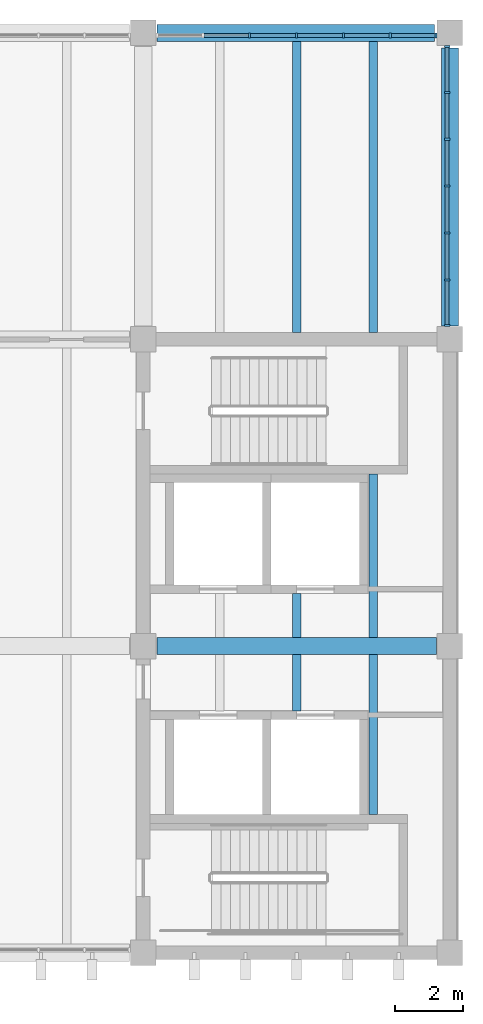
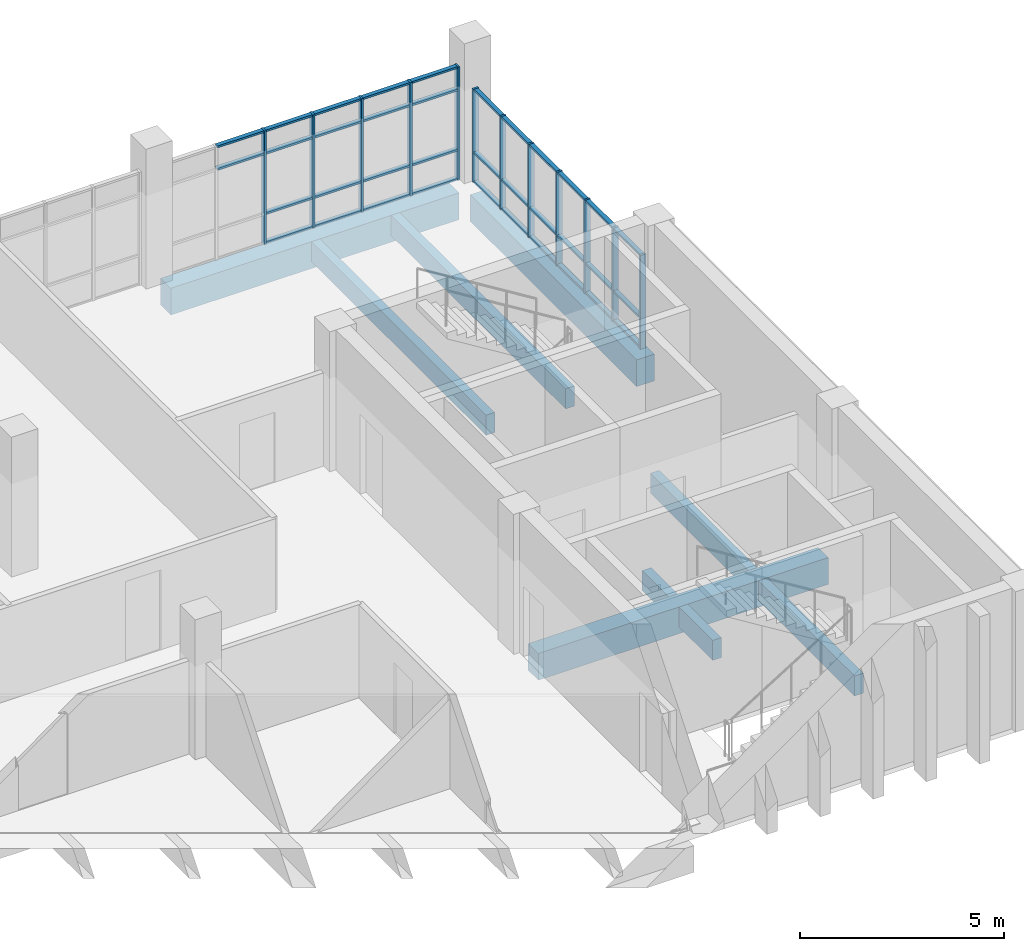
# One storey, part 6 of 14: 48 members, 9 beams, 2 elements without a shape of their own.
"""IFC4 building model written with IfcOpenShell, lengths in metres."""

from ifc_helpers import new_model, si_unit, direction, frame, origin, origin_2d, place, context, subcontext, project, spatial, rectangle, extrude, material, material_profile, profile_set, type_object, element, aggregate, save


model = new_model("IFC4")

# Units and contexts
model_context = context("Model", 3, precision=1e-05, world=origin(), true_north=direction((0.0, 1.0)))
body_context = subcontext(model_context, "Body", "Model", "MODEL_VIEW")
ifc_project = project(units=[si_unit("LENGTHUNIT", "METRE"), si_unit("AREAUNIT", "SQUARE_METRE"), si_unit("VOLUMEUNIT", "CUBIC_METRE"), si_unit("PLANEANGLEUNIT", "RADIAN"), si_unit("MASSUNIT", "GRAM", prefix="KILO")], contexts=[model_context])

# Site, building, storey
site_placement = place(None, origin())
site = spatial("IfcSite", under=ifc_project, at=site_placement, CompositionType="ELEMENT")
building_placement = place(site_placement, origin())
building = spatial("IfcBuilding", under=site, at=building_placement, Name="Merrow Basin Faculty of Sciences", CompositionType="ELEMENT")
storey_placement = place(building_placement, frame((0.0, 0.0, 27.0)))
storey = spatial("IfcBuildingStorey", under=building, at=storey_placement, Name="L06", CompositionType="ELEMENT", Elevation=27.0)

# Curtain wall, members
ifc_material_1 = material(Name="Aluminium alloy 6063", Category="aluminium")
curtain_wall_type = type_object("IfcCurtainWallType", Name="Unitised curtain wall 160", PredefinedType="NOTDEFINED", material=ifc_material_1)
curtain_wall_1_placement = place(storey_placement, origin())
curtain_wall_1 = element("IfcCurtainWall", 1, at=curtain_wall_1_placement, inside=storey, type_object=curtain_wall_type, Name="N curtain wall L06 7", PredefinedType="NOTDEFINED")
ifc_material_2 = material(Name="Aluminium alloy 6063", Category="aluminium")
ifc_material_profile_1 = material_profile(ifc_material_2, rectangle(XDim=0.159912109375, YDim=0.06005859375, at=origin_2d()))
ifc_profile_set_1 = profile_set([ifc_material_profile_1], Name="Aluminium alloy 6063")
member_type_1 = type_object("IfcMemberType", Name="Aluminium mullion 60x160", PredefinedType="MULLION", material=ifc_profile_set_1)
member_1_placement = place(storey_placement, frame((48.125, 168.919921875, 0.0), z_axis=(0.0, 0.0, 1.0), x_axis=(0.0, 1.0, 0.0)))
member_1 = element("IfcMember", 2, at=member_1_placement, type_object=member_type_1, Name="CW3 mullion 3", PredefinedType="MULLION", context=body_context, shape_type="SweptSolid", body=[
    extrude(rectangle(XDim=0.159912109375, YDim=0.06005859375, at=origin_2d()), origin(), (0.0, 0.0, 1.0), 3.39990234375),
])
member_2_placement = place(storey_placement, frame((49.5, 168.919921875, 0.0), z_axis=(0.0, 0.0, 1.0), x_axis=(0.0, 1.0, 0.0)))
member_2 = element("IfcMember", 3, at=member_2_placement, type_object=member_type_1, Name="CW3 mullion 4", PredefinedType="MULLION", context=body_context, shape_type="SweptSolid", body=[
    extrude(rectangle(XDim=0.159912109375, YDim=0.06005859375, at=origin_2d()), origin(), (0.0, 0.0, 1.0), 3.39990234375),
])
member_3_placement = place(storey_placement, frame((50.875, 168.919921875, 0.0), z_axis=(0.0, 0.0, 1.0), x_axis=(0.0, 1.0, 0.0)))
member_3 = element("IfcMember", 4, at=member_3_placement, type_object=member_type_1, Name="CW3 mullion 5", PredefinedType="MULLION", context=body_context, shape_type="SweptSolid", body=[
    extrude(rectangle(XDim=0.159912109375, YDim=0.06005859375, at=origin_2d()), origin(), (0.0, 0.0, 1.0), 3.39990234375),
])
member_4_placement = place(storey_placement, frame((52.25, 168.919921875, 0.0), z_axis=(0.0, 0.0, 1.0), x_axis=(0.0, 1.0, 0.0)))
member_4 = element("IfcMember", 5, at=member_4_placement, type_object=member_type_1, Name="CW3 mullion 6", PredefinedType="MULLION", context=body_context, shape_type="SweptSolid", body=[
    extrude(rectangle(XDim=0.159912109375, YDim=0.06005859375, at=origin_2d()), origin(), (0.0, 0.0, 1.0), 3.39990234375),
])
member_5_placement = place(storey_placement, frame((53.594970703125, 168.919921875, 0.0), z_axis=(0.0, 0.0, 1.0), x_axis=(0.0, 1.0, 0.0)))
member_5 = element("IfcMember", 6, at=member_5_placement, type_object=member_type_1, Name="CW3 mullion 7", PredefinedType="MULLION", context=body_context, shape_type="SweptSolid", body=[
    extrude(rectangle(XDim=0.159912109375, YDim=0.06005859375, at=origin_2d()), origin(), (0.0, 0.0, 1.0), 3.39990234375),
])

curtain_wall_2_placement = place(storey_placement, origin())
curtain_wall_2 = element("IfcCurtainWall", 7, at=curtain_wall_2_placement, inside=storey, type_object=curtain_wall_type, Name="E curtain wall L06 1", PredefinedType="NOTDEFINED")
member_6_placement = place(storey_placement, frame((53.919921875, 160.405029296875, 0.0), z_axis=(0.0, 0.0, 1.0), x_axis=(-1.0, 0.0, 0.0)))
member_6 = element("IfcMember", 8, at=member_6_placement, type_object=member_type_1, Name="CW3 mullion 1", PredefinedType="MULLION", context=body_context, shape_type="SweptSolid", body=[
    extrude(rectangle(XDim=0.159912109375, YDim=0.06005859375, at=origin_2d()), origin(), (0.0, 0.0, 1.0), 2.800048828125),
])
member_7_placement = place(storey_placement, frame((53.919921875, 161.75, 0.0), z_axis=(0.0, 0.0, 1.0), x_axis=(-1.0, 0.0, 0.0)))
member_7 = element("IfcMember", 9, at=member_7_placement, type_object=member_type_1, Name="CW3 mullion 2", PredefinedType="MULLION", context=body_context, shape_type="SweptSolid", body=[
    extrude(rectangle(XDim=0.159912109375, YDim=0.06005859375, at=origin_2d()), origin(), (0.0, 0.0, 1.0), 2.800048828125),
])
member_8_placement = place(storey_placement, frame((53.919921875, 163.125, 0.0), z_axis=(0.0, 0.0, 1.0), x_axis=(-1.0, 0.0, 0.0)))
member_8 = element("IfcMember", 10, at=member_8_placement, type_object=member_type_1, Name="CW3 mullion 3", PredefinedType="MULLION", context=body_context, shape_type="SweptSolid", body=[
    extrude(rectangle(XDim=0.159912109375, YDim=0.06005859375, at=origin_2d()), origin(), (0.0, 0.0, 1.0), 2.800048828125),
])
member_9_placement = place(storey_placement, frame((53.919921875, 164.5, 0.0), z_axis=(0.0, 0.0, 1.0), x_axis=(-1.0, 0.0, 0.0)))
member_9 = element("IfcMember", 11, at=member_9_placement, type_object=member_type_1, Name="CW3 mullion 4", PredefinedType="MULLION", context=body_context, shape_type="SweptSolid", body=[
    extrude(rectangle(XDim=0.159912109375, YDim=0.06005859375, at=origin_2d()), origin(), (0.0, 0.0, 1.0), 2.800048828125),
])
member_10_placement = place(storey_placement, frame((53.919921875, 165.875, 0.0), z_axis=(0.0, 0.0, 1.0), x_axis=(-1.0, 0.0, 0.0)))
member_10 = element("IfcMember", 12, at=member_10_placement, type_object=member_type_1, Name="CW3 mullion 5", PredefinedType="MULLION", context=body_context, shape_type="SweptSolid", body=[
    extrude(rectangle(XDim=0.159912109375, YDim=0.06005859375, at=origin_2d()), origin(), (0.0, 0.0, 1.0), 2.800048828125),
])
member_11_placement = place(storey_placement, frame((53.919921875, 167.25, 0.0), z_axis=(0.0, 0.0, 1.0), x_axis=(-1.0, 0.0, 0.0)))
member_11 = element("IfcMember", 13, at=member_11_placement, type_object=member_type_1, Name="CW3 mullion 6", PredefinedType="MULLION", context=body_context, shape_type="SweptSolid", body=[
    extrude(rectangle(XDim=0.159912109375, YDim=0.06005859375, at=origin_2d()), origin(), (0.0, 0.0, 1.0), 2.800048828125),
])
member_12_placement = place(storey_placement, frame((53.919921875, 168.594970703125, 0.0), z_axis=(0.0, 0.0, 1.0), x_axis=(-1.0, 0.0, 0.0)))
member_12 = element("IfcMember", 14, at=member_12_placement, type_object=member_type_1, Name="CW3 mullion 7", PredefinedType="MULLION", context=body_context, shape_type="SweptSolid", body=[
    extrude(rectangle(XDim=0.159912109375, YDim=0.06005859375, at=origin_2d()), origin(), (0.0, 0.0, 1.0), 2.800048828125),
])

# Member
ifc_material_3 = material(Name="Aluminium alloy 6063", Category="aluminium")
ifc_material_profile_2 = material_profile(ifc_material_3, rectangle(XDim=0.1201171875, YDim=0.06005859375, at=origin_2d()))
ifc_profile_set_2 = profile_set([ifc_material_profile_2], Name="Aluminium alloy 6063")
member_type_2 = type_object("IfcMemberType", Name="Aluminium transom 60x120", PredefinedType="USERDEFINED", material=ifc_profile_set_2)
member_13_placement = place(storey_placement, frame((46.780029296875, 168.919921875, 2.699951171875), z_axis=(1.0, 0.0, 0.0), x_axis=(0.0, 1.0, 0.0)))
member_13 = element("IfcMember", 15, at=member_13_placement, type_object=member_type_2, Name="CW3 transom 2.3", ObjectType="TRANSOM", PredefinedType="USERDEFINED", context=body_context, shape_type="SweptSolid", body=[
    extrude(rectangle(XDim=0.1201171875, YDim=0.06005859375, at=origin_2d()), origin(), (0.0, 0.0, 1.0), 1.31494140625),
])

member_14_placement = place(storey_placement, frame((46.780029296875, 168.919921875, 3.3701171875), z_axis=(1.0, 0.0, 0.0), x_axis=(0.0, 1.0, 0.0)))
member_14 = element("IfcMember", 16, at=member_14_placement, type_object=member_type_2, Name="CW3 transom 2.4", ObjectType="TRANSOM", PredefinedType="USERDEFINED", context=body_context, shape_type="SweptSolid", body=[
    extrude(rectangle(XDim=0.1201171875, YDim=0.06005859375, at=origin_2d()), origin(), (0.0, 0.0, 1.0), 1.31494140625),
])

member_15_placement = place(storey_placement, frame((48.155029296875, 168.919921875, 0.030029296875), z_axis=(1.0, 0.0, 0.0), x_axis=(0.0, 1.0, 0.0)))
member_15 = element("IfcMember", 17, at=member_15_placement, type_object=member_type_2, Name="CW3 transom 3.1", ObjectType="TRANSOM", PredefinedType="USERDEFINED", context=body_context, shape_type="SweptSolid", body=[
    extrude(rectangle(XDim=0.1201171875, YDim=0.06005859375, at=origin_2d()), origin(), (0.0, 0.0, 1.0), 1.31494140625),
])

member_16_placement = place(storey_placement, frame((48.155029296875, 168.919921875, 0.89990234375), z_axis=(1.0, 0.0, 0.0), x_axis=(0.0, 1.0, 0.0)))
member_16 = element("IfcMember", 18, at=member_16_placement, type_object=member_type_2, Name="CW3 transom 3.2", ObjectType="TRANSOM", PredefinedType="USERDEFINED", context=body_context, shape_type="SweptSolid", body=[
    extrude(rectangle(XDim=0.1201171875, YDim=0.06005859375, at=origin_2d()), origin(), (0.0, 0.0, 1.0), 1.31494140625),
])

member_17_placement = place(storey_placement, frame((48.155029296875, 168.919921875, 2.699951171875), z_axis=(1.0, 0.0, 0.0), x_axis=(0.0, 1.0, 0.0)))
member_17 = element("IfcMember", 19, at=member_17_placement, type_object=member_type_2, Name="CW3 transom 3.3", ObjectType="TRANSOM", PredefinedType="USERDEFINED", context=body_context, shape_type="SweptSolid", body=[
    extrude(rectangle(XDim=0.1201171875, YDim=0.06005859375, at=origin_2d()), origin(), (0.0, 0.0, 1.0), 1.31494140625),
])

member_18_placement = place(storey_placement, frame((48.155029296875, 168.919921875, 3.3701171875), z_axis=(1.0, 0.0, 0.0), x_axis=(0.0, 1.0, 0.0)))
member_18 = element("IfcMember", 20, at=member_18_placement, type_object=member_type_2, Name="CW3 transom 3.4", ObjectType="TRANSOM", PredefinedType="USERDEFINED", context=body_context, shape_type="SweptSolid", body=[
    extrude(rectangle(XDim=0.1201171875, YDim=0.06005859375, at=origin_2d()), origin(), (0.0, 0.0, 1.0), 1.31494140625),
])

member_19_placement = place(storey_placement, frame((49.530029296875, 168.919921875, 0.030029296875), z_axis=(1.0, 0.0, 0.0), x_axis=(0.0, 1.0, 0.0)))
member_19 = element("IfcMember", 21, at=member_19_placement, type_object=member_type_2, Name="CW3 transom 4.1", ObjectType="TRANSOM", PredefinedType="USERDEFINED", context=body_context, shape_type="SweptSolid", body=[
    extrude(rectangle(XDim=0.1201171875, YDim=0.06005859375, at=origin_2d()), origin(), (0.0, 0.0, 1.0), 1.31494140625),
])

member_20_placement = place(storey_placement, frame((49.530029296875, 168.919921875, 0.89990234375), z_axis=(1.0, 0.0, 0.0), x_axis=(0.0, 1.0, 0.0)))
member_20 = element("IfcMember", 22, at=member_20_placement, type_object=member_type_2, Name="CW3 transom 4.2", ObjectType="TRANSOM", PredefinedType="USERDEFINED", context=body_context, shape_type="SweptSolid", body=[
    extrude(rectangle(XDim=0.1201171875, YDim=0.06005859375, at=origin_2d()), origin(), (0.0, 0.0, 1.0), 1.31494140625),
])

member_21_placement = place(storey_placement, frame((49.530029296875, 168.919921875, 2.699951171875), z_axis=(1.0, 0.0, 0.0), x_axis=(0.0, 1.0, 0.0)))
member_21 = element("IfcMember", 23, at=member_21_placement, type_object=member_type_2, Name="CW3 transom 4.3", ObjectType="TRANSOM", PredefinedType="USERDEFINED", context=body_context, shape_type="SweptSolid", body=[
    extrude(rectangle(XDim=0.1201171875, YDim=0.06005859375, at=origin_2d()), origin(), (0.0, 0.0, 1.0), 1.31494140625),
])

member_22_placement = place(storey_placement, frame((49.530029296875, 168.919921875, 3.3701171875), z_axis=(1.0, 0.0, 0.0), x_axis=(0.0, 1.0, 0.0)))
member_22 = element("IfcMember", 24, at=member_22_placement, type_object=member_type_2, Name="CW3 transom 4.4", ObjectType="TRANSOM", PredefinedType="USERDEFINED", context=body_context, shape_type="SweptSolid", body=[
    extrude(rectangle(XDim=0.1201171875, YDim=0.06005859375, at=origin_2d()), origin(), (0.0, 0.0, 1.0), 1.31494140625),
])

member_23_placement = place(storey_placement, frame((50.905029296875, 168.919921875, 0.030029296875), z_axis=(1.0, 0.0, 0.0), x_axis=(0.0, 1.0, 0.0)))
member_23 = element("IfcMember", 25, at=member_23_placement, type_object=member_type_2, Name="CW3 transom 5.1", ObjectType="TRANSOM", PredefinedType="USERDEFINED", context=body_context, shape_type="SweptSolid", body=[
    extrude(rectangle(XDim=0.1201171875, YDim=0.06005859375, at=origin_2d()), origin(), (0.0, 0.0, 1.0), 1.31494140625),
])

member_24_placement = place(storey_placement, frame((50.905029296875, 168.919921875, 0.89990234375), z_axis=(1.0, 0.0, 0.0), x_axis=(0.0, 1.0, 0.0)))
member_24 = element("IfcMember", 26, at=member_24_placement, type_object=member_type_2, Name="CW3 transom 5.2", ObjectType="TRANSOM", PredefinedType="USERDEFINED", context=body_context, shape_type="SweptSolid", body=[
    extrude(rectangle(XDim=0.1201171875, YDim=0.06005859375, at=origin_2d()), origin(), (0.0, 0.0, 1.0), 1.31494140625),
])

member_25_placement = place(storey_placement, frame((50.905029296875, 168.919921875, 2.699951171875), z_axis=(1.0, 0.0, 0.0), x_axis=(0.0, 1.0, 0.0)))
member_25 = element("IfcMember", 27, at=member_25_placement, type_object=member_type_2, Name="CW3 transom 5.3", ObjectType="TRANSOM", PredefinedType="USERDEFINED", context=body_context, shape_type="SweptSolid", body=[
    extrude(rectangle(XDim=0.1201171875, YDim=0.06005859375, at=origin_2d()), origin(), (0.0, 0.0, 1.0), 1.31494140625),
])

member_26_placement = place(storey_placement, frame((50.905029296875, 168.919921875, 3.3701171875), z_axis=(1.0, 0.0, 0.0), x_axis=(0.0, 1.0, 0.0)))
member_26 = element("IfcMember", 28, at=member_26_placement, type_object=member_type_2, Name="CW3 transom 5.4", ObjectType="TRANSOM", PredefinedType="USERDEFINED", context=body_context, shape_type="SweptSolid", body=[
    extrude(rectangle(XDim=0.1201171875, YDim=0.06005859375, at=origin_2d()), origin(), (0.0, 0.0, 1.0), 1.31494140625),
])

member_27_placement = place(storey_placement, frame((52.280029296875, 168.919921875, 0.030029296875), z_axis=(1.0, 0.0, 0.0), x_axis=(0.0, 1.0, 0.0)))
member_27 = element("IfcMember", 29, at=member_27_placement, type_object=member_type_2, Name="CW3 transom 6.1", ObjectType="TRANSOM", PredefinedType="USERDEFINED", context=body_context, shape_type="SweptSolid", body=[
    extrude(rectangle(XDim=0.1201171875, YDim=0.06005859375, at=origin_2d()), origin(), (0.0, 0.0, 1.0), 1.284912109375),
])

member_28_placement = place(storey_placement, frame((52.280029296875, 168.919921875, 0.89990234375), z_axis=(1.0, 0.0, 0.0), x_axis=(0.0, 1.0, 0.0)))
member_28 = element("IfcMember", 30, at=member_28_placement, type_object=member_type_2, Name="CW3 transom 6.2", ObjectType="TRANSOM", PredefinedType="USERDEFINED", context=body_context, shape_type="SweptSolid", body=[
    extrude(rectangle(XDim=0.1201171875, YDim=0.06005859375, at=origin_2d()), origin(), (0.0, 0.0, 1.0), 1.284912109375),
])

member_29_placement = place(storey_placement, frame((52.280029296875, 168.919921875, 2.699951171875), z_axis=(1.0, 0.0, 0.0), x_axis=(0.0, 1.0, 0.0)))
member_29 = element("IfcMember", 31, at=member_29_placement, type_object=member_type_2, Name="CW3 transom 6.3", ObjectType="TRANSOM", PredefinedType="USERDEFINED", context=body_context, shape_type="SweptSolid", body=[
    extrude(rectangle(XDim=0.1201171875, YDim=0.06005859375, at=origin_2d()), origin(), (0.0, 0.0, 1.0), 1.284912109375),
])

member_30_placement = place(storey_placement, frame((52.280029296875, 168.919921875, 3.3701171875), z_axis=(1.0, 0.0, 0.0), x_axis=(0.0, 1.0, 0.0)))
member_30 = element("IfcMember", 32, at=member_30_placement, type_object=member_type_2, Name="CW3 transom 6.4", ObjectType="TRANSOM", PredefinedType="USERDEFINED", context=body_context, shape_type="SweptSolid", body=[
    extrude(rectangle(XDim=0.1201171875, YDim=0.06005859375, at=origin_2d()), origin(), (0.0, 0.0, 1.0), 1.284912109375),
])

aggregate(curtain_wall_1, [member_1, member_2, member_3, member_4, member_5, member_13, member_14, member_15, member_16, member_17, member_18, member_19, member_20, member_21, member_22, member_23, member_24, member_25, member_26, member_27, member_28, member_29, member_30])

member_31_placement = place(storey_placement, frame((53.919921875, 160.43505859375, 0.030029296875), z_axis=(0.0, 1.0, 0.0), x_axis=(-1.0, 0.0, 0.0)))
member_31 = element("IfcMember", 33, at=member_31_placement, type_object=member_type_2, Name="CW3 transom 1.1", ObjectType="TRANSOM", PredefinedType="USERDEFINED", context=body_context, shape_type="SweptSolid", body=[
    extrude(rectangle(XDim=0.1201171875, YDim=0.06005859375, at=origin_2d()), origin(), (0.0, 0.0, 1.0), 1.284912109375),
])

member_32_placement = place(storey_placement, frame((53.919921875, 160.43505859375, 0.89990234375), z_axis=(0.0, 1.0, 0.0), x_axis=(-1.0, 0.0, 0.0)))
member_32 = element("IfcMember", 34, at=member_32_placement, type_object=member_type_2, Name="CW3 transom 1.2", ObjectType="TRANSOM", PredefinedType="USERDEFINED", context=body_context, shape_type="SweptSolid", body=[
    extrude(rectangle(XDim=0.1201171875, YDim=0.06005859375, at=origin_2d()), origin(), (0.0, 0.0, 1.0), 1.284912109375),
])

member_33_placement = place(storey_placement, frame((53.919921875, 160.43505859375, 2.77001953125), z_axis=(0.0, 1.0, 0.0), x_axis=(-1.0, 0.0, 0.0)))
member_33 = element("IfcMember", 35, at=member_33_placement, type_object=member_type_2, Name="CW3 transom 1.3", ObjectType="TRANSOM", PredefinedType="USERDEFINED", context=body_context, shape_type="SweptSolid", body=[
    extrude(rectangle(XDim=0.1201171875, YDim=0.06005859375, at=origin_2d()), origin(), (0.0, 0.0, 1.0), 1.284912109375),
])

member_34_placement = place(storey_placement, frame((53.919921875, 161.780029296875, 0.030029296875), z_axis=(0.0, 1.0, 0.0), x_axis=(-1.0, 0.0, 0.0)))
member_34 = element("IfcMember", 36, at=member_34_placement, type_object=member_type_2, Name="CW3 transom 2.1", ObjectType="TRANSOM", PredefinedType="USERDEFINED", context=body_context, shape_type="SweptSolid", body=[
    extrude(rectangle(XDim=0.1201171875, YDim=0.06005859375, at=origin_2d()), origin(), (0.0, 0.0, 1.0), 1.31494140625),
])

member_35_placement = place(storey_placement, frame((53.919921875, 161.780029296875, 0.89990234375), z_axis=(0.0, 1.0, 0.0), x_axis=(-1.0, 0.0, 0.0)))
member_35 = element("IfcMember", 37, at=member_35_placement, type_object=member_type_2, Name="CW3 transom 2.2", ObjectType="TRANSOM", PredefinedType="USERDEFINED", context=body_context, shape_type="SweptSolid", body=[
    extrude(rectangle(XDim=0.1201171875, YDim=0.06005859375, at=origin_2d()), origin(), (0.0, 0.0, 1.0), 1.31494140625),
])

member_36_placement = place(storey_placement, frame((53.919921875, 161.780029296875, 2.77001953125), z_axis=(0.0, 1.0, 0.0), x_axis=(-1.0, 0.0, 0.0)))
member_36 = element("IfcMember", 38, at=member_36_placement, type_object=member_type_2, Name="CW3 transom 2.3", ObjectType="TRANSOM", PredefinedType="USERDEFINED", context=body_context, shape_type="SweptSolid", body=[
    extrude(rectangle(XDim=0.1201171875, YDim=0.06005859375, at=origin_2d()), origin(), (0.0, 0.0, 1.0), 1.31494140625),
])

member_37_placement = place(storey_placement, frame((53.919921875, 163.155029296875, 0.030029296875), z_axis=(0.0, 1.0, 0.0), x_axis=(-1.0, 0.0, 0.0)))
member_37 = element("IfcMember", 39, at=member_37_placement, type_object=member_type_2, Name="CW3 transom 3.1", ObjectType="TRANSOM", PredefinedType="USERDEFINED", context=body_context, shape_type="SweptSolid", body=[
    extrude(rectangle(XDim=0.1201171875, YDim=0.06005859375, at=origin_2d()), origin(), (0.0, 0.0, 1.0), 1.31494140625),
])

member_38_placement = place(storey_placement, frame((53.919921875, 163.155029296875, 0.89990234375), z_axis=(0.0, 1.0, 0.0), x_axis=(-1.0, 0.0, 0.0)))
member_38 = element("IfcMember", 40, at=member_38_placement, type_object=member_type_2, Name="CW3 transom 3.2", ObjectType="TRANSOM", PredefinedType="USERDEFINED", context=body_context, shape_type="SweptSolid", body=[
    extrude(rectangle(XDim=0.1201171875, YDim=0.06005859375, at=origin_2d()), origin(), (0.0, 0.0, 1.0), 1.31494140625),
])

member_39_placement = place(storey_placement, frame((53.919921875, 163.155029296875, 2.77001953125), z_axis=(0.0, 1.0, 0.0), x_axis=(-1.0, 0.0, 0.0)))
member_39 = element("IfcMember", 41, at=member_39_placement, type_object=member_type_2, Name="CW3 transom 3.3", ObjectType="TRANSOM", PredefinedType="USERDEFINED", context=body_context, shape_type="SweptSolid", body=[
    extrude(rectangle(XDim=0.1201171875, YDim=0.06005859375, at=origin_2d()), origin(), (0.0, 0.0, 1.0), 1.31494140625),
])

member_40_placement = place(storey_placement, frame((53.919921875, 164.530029296875, 0.030029296875), z_axis=(0.0, 1.0, 0.0), x_axis=(-1.0, 0.0, 0.0)))
member_40 = element("IfcMember", 42, at=member_40_placement, type_object=member_type_2, Name="CW3 transom 4.1", ObjectType="TRANSOM", PredefinedType="USERDEFINED", context=body_context, shape_type="SweptSolid", body=[
    extrude(rectangle(XDim=0.1201171875, YDim=0.06005859375, at=origin_2d()), origin(), (0.0, 0.0, 1.0), 1.31494140625),
])

member_41_placement = place(storey_placement, frame((53.919921875, 164.530029296875, 0.89990234375), z_axis=(0.0, 1.0, 0.0), x_axis=(-1.0, 0.0, 0.0)))
member_41 = element("IfcMember", 43, at=member_41_placement, type_object=member_type_2, Name="CW3 transom 4.2", ObjectType="TRANSOM", PredefinedType="USERDEFINED", context=body_context, shape_type="SweptSolid", body=[
    extrude(rectangle(XDim=0.1201171875, YDim=0.06005859375, at=origin_2d()), origin(), (0.0, 0.0, 1.0), 1.31494140625),
])

member_42_placement = place(storey_placement, frame((53.919921875, 164.530029296875, 2.77001953125), z_axis=(0.0, 1.0, 0.0), x_axis=(-1.0, 0.0, 0.0)))
member_42 = element("IfcMember", 44, at=member_42_placement, type_object=member_type_2, Name="CW3 transom 4.3", ObjectType="TRANSOM", PredefinedType="USERDEFINED", context=body_context, shape_type="SweptSolid", body=[
    extrude(rectangle(XDim=0.1201171875, YDim=0.06005859375, at=origin_2d()), origin(), (0.0, 0.0, 1.0), 1.31494140625),
])

member_43_placement = place(storey_placement, frame((53.919921875, 165.905029296875, 0.030029296875), z_axis=(0.0, 1.0, 0.0), x_axis=(-1.0, 0.0, 0.0)))
member_43 = element("IfcMember", 45, at=member_43_placement, type_object=member_type_2, Name="CW3 transom 5.1", ObjectType="TRANSOM", PredefinedType="USERDEFINED", context=body_context, shape_type="SweptSolid", body=[
    extrude(rectangle(XDim=0.1201171875, YDim=0.06005859375, at=origin_2d()), origin(), (0.0, 0.0, 1.0), 1.31494140625),
])

member_44_placement = place(storey_placement, frame((53.919921875, 165.905029296875, 0.89990234375), z_axis=(0.0, 1.0, 0.0), x_axis=(-1.0, 0.0, 0.0)))
member_44 = element("IfcMember", 46, at=member_44_placement, type_object=member_type_2, Name="CW3 transom 5.2", ObjectType="TRANSOM", PredefinedType="USERDEFINED", context=body_context, shape_type="SweptSolid", body=[
    extrude(rectangle(XDim=0.1201171875, YDim=0.06005859375, at=origin_2d()), origin(), (0.0, 0.0, 1.0), 1.31494140625),
])

member_45_placement = place(storey_placement, frame((53.919921875, 165.905029296875, 2.77001953125), z_axis=(0.0, 1.0, 0.0), x_axis=(-1.0, 0.0, 0.0)))
member_45 = element("IfcMember", 47, at=member_45_placement, type_object=member_type_2, Name="CW3 transom 5.3", ObjectType="TRANSOM", PredefinedType="USERDEFINED", context=body_context, shape_type="SweptSolid", body=[
    extrude(rectangle(XDim=0.1201171875, YDim=0.06005859375, at=origin_2d()), origin(), (0.0, 0.0, 1.0), 1.31494140625),
])

member_46_placement = place(storey_placement, frame((53.919921875, 167.280029296875, 0.030029296875), z_axis=(0.0, 1.0, 0.0), x_axis=(-1.0, 0.0, 0.0)))
member_46 = element("IfcMember", 48, at=member_46_placement, type_object=member_type_2, Name="CW3 transom 6.1", ObjectType="TRANSOM", PredefinedType="USERDEFINED", context=body_context, shape_type="SweptSolid", body=[
    extrude(rectangle(XDim=0.1201171875, YDim=0.06005859375, at=origin_2d()), origin(), (0.0, 0.0, 1.0), 1.284912109375),
])

member_47_placement = place(storey_placement, frame((53.919921875, 167.280029296875, 0.89990234375), z_axis=(0.0, 1.0, 0.0), x_axis=(-1.0, 0.0, 0.0)))
member_47 = element("IfcMember", 49, at=member_47_placement, type_object=member_type_2, Name="CW3 transom 6.2", ObjectType="TRANSOM", PredefinedType="USERDEFINED", context=body_context, shape_type="SweptSolid", body=[
    extrude(rectangle(XDim=0.1201171875, YDim=0.06005859375, at=origin_2d()), origin(), (0.0, 0.0, 1.0), 1.284912109375),
])

member_48_placement = place(storey_placement, frame((53.919921875, 167.280029296875, 2.77001953125), z_axis=(0.0, 1.0, 0.0), x_axis=(-1.0, 0.0, 0.0)))
member_48 = element("IfcMember", 50, at=member_48_placement, type_object=member_type_2, Name="CW3 transom 6.3", ObjectType="TRANSOM", PredefinedType="USERDEFINED", context=body_context, shape_type="SweptSolid", body=[
    extrude(rectangle(XDim=0.1201171875, YDim=0.06005859375, at=origin_2d()), origin(), (0.0, 0.0, 1.0), 1.284912109375),
])

aggregate(curtain_wall_2, [member_6, member_7, member_8, member_9, member_10, member_11, member_12, member_31, member_32, member_33, member_34, member_35, member_36, member_37, member_38, member_39, member_40, member_41, member_42, member_43, member_44, member_45, member_46, member_47, member_48])

# Beams
ifc_material_4 = material(Name="Concrete C40/50", Category="concrete")
ifc_material_profile_3 = material_profile(ifc_material_4, rectangle(XDim=0.5, YDim=0.800048828125, at=origin_2d()))
ifc_profile_set_3 = profile_set([ifc_material_profile_3], Name="Concrete C40/50")
beam_type_1 = type_object("IfcBeamType", Name="Beam RC500x800 C40/50", PredefinedType="BEAM", material=ifc_profile_set_3)
beam_1_placement = place(storey_placement, frame((45.39990234375, 151.0, -0.699951171875), z_axis=(1.0, 0.0, 0.0), x_axis=(0.0, 1.0, 0.0)))
element("IfcBeam", 51, at=beam_1_placement, inside=storey, type_object=beam_type_1, Name="B4 L06 005", PredefinedType="BEAM", context=body_context, shape_type="SweptSolid", body=[
    extrude(rectangle(XDim=0.5, YDim=0.800048828125, at=origin_2d()), origin(), (0.0, 0.0, 1.0), 8.2001953125),
])
for number, where, z_axis, x_axis, name in (
    (52, (45.39990234375, 169.0, -0.699951171875), (1.0, 0.0, 0.0), (0.0, 1.0, 0.0), "B4 L06 012"),
    (53, (54.0, 160.39990234375, -0.699951171875), (0.0, 1.0, 0.0), (-1.0, 0.0, 0.0), "B4 L06 021"),
):
    element("IfcBeam", number, at=place(storey_placement, frame(where, z_axis=z_axis, x_axis=x_axis)), inside=storey, type_object=beam_type_1, Name=name, PredefinedType="BEAM", context=body_context, shape_type="SweptSolid", body=[
        extrude(rectangle(XDim=0.5, YDim=0.800048828125, at=origin_2d()), origin(), (0.0, 0.0, 1.0), 8.150146484375),
    ])
ifc_material_5 = material(Name="Concrete C40/50", Category="concrete")
ifc_material_profile_4 = material_profile(ifc_material_5, rectangle(XDim=0.25, YDim=0.60009765625, at=origin_2d()))
ifc_profile_set_4 = profile_set([ifc_material_profile_4], Name="Concrete C40/50")
beam_type_2 = type_object("IfcBeamType", Name="Tower floor joist RC250x600 C40/50", PredefinedType="BEAM", material=ifc_profile_set_4)
beam_2_placement = place(storey_placement, frame((49.5, 149.10009765625, -0.60009765625), z_axis=(0.0, 1.0, 0.0), x_axis=(-1.0, 0.0, 0.0)))
element("IfcBeam", 54, at=beam_2_placement, inside=storey, type_object=beam_type_2, Name="JT1 L06 051", PredefinedType="BEAM", context=body_context, shape_type="SweptSolid", body=[
    extrude(rectangle(XDim=0.25, YDim=0.60009765625, at=origin_2d()), origin(), (0.0, 0.0, 1.0), 1.64990234375),
])
beam_3_placement = place(storey_placement, frame((51.75, 146.050048828125, -0.60009765625), z_axis=(0.0, 1.0, 0.0), x_axis=(-1.0, 0.0, 0.0)))
element("IfcBeam", 55, at=beam_3_placement, inside=storey, type_object=beam_type_2, Name="JT1 L06 052", PredefinedType="BEAM", context=body_context, shape_type="SweptSolid", body=[
    extrude(rectangle(XDim=0.25, YDim=0.60009765625, at=origin_2d()), origin(), (0.0, 0.0, 1.0), 4.699951171875),
])
beam_4_placement = place(storey_placement, frame((49.5, 151.25, -0.60009765625), z_axis=(0.0, 1.0, 0.0), x_axis=(-1.0, 0.0, 0.0)))
element("IfcBeam", 56, at=beam_4_placement, inside=storey, type_object=beam_type_2, Name="JT1 L06 054", PredefinedType="BEAM", context=body_context, shape_type="SweptSolid", body=[
    extrude(rectangle(XDim=0.25, YDim=0.60009765625, at=origin_2d()), origin(), (0.0, 0.0, 1.0), 1.300048828125),
])
beam_5_placement = place(storey_placement, frame((51.75, 151.25, -0.60009765625), z_axis=(0.0, 1.0, 0.0), x_axis=(-1.0, 0.0, 0.0)))
element("IfcBeam", 57, at=beam_5_placement, inside=storey, type_object=beam_type_2, Name="JT1 L06 055", PredefinedType="BEAM", context=body_context, shape_type="SweptSolid", body=[
    extrude(rectangle(XDim=0.25, YDim=0.60009765625, at=origin_2d()), origin(), (0.0, 0.0, 1.0), 4.800048828125),
])
for number, where, z_axis, x_axis, name in (
    (58, (49.5, 160.199951171875, -0.60009765625), (0.0, 1.0, 0.0), (-1.0, 0.0, 0.0), "JT1 L06 057"),
    (59, (51.75, 160.199951171875, -0.60009765625), (0.0, 1.0, 0.0), (-1.0, 0.0, 0.0), "JT1 L06 058"),
):
    element("IfcBeam", number, at=place(storey_placement, frame(where, z_axis=z_axis, x_axis=x_axis)), inside=storey, type_object=beam_type_2, Name=name, PredefinedType="BEAM", context=body_context, shape_type="SweptSolid", body=[
        extrude(rectangle(XDim=0.25, YDim=0.60009765625, at=origin_2d()), origin(), (0.0, 0.0, 1.0), 8.550048828125),
    ])

save(model, "model.ifc")
